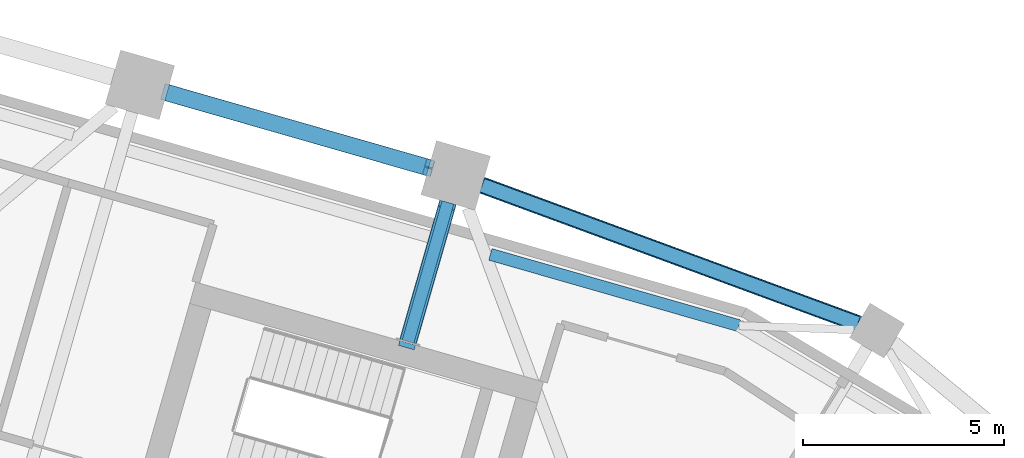
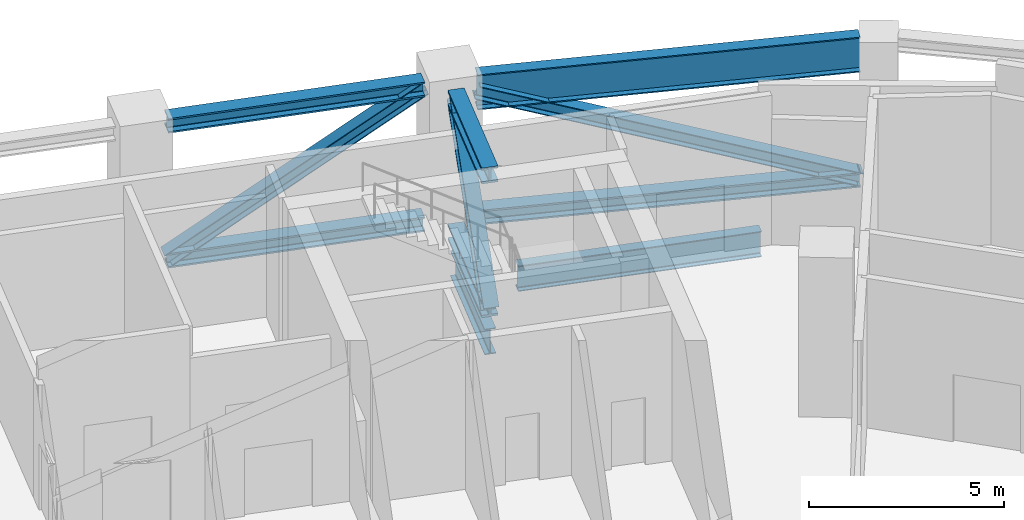
# One storey, part 5 of 16: 8 members, 3 beams.
"""IFC4 building model written with IfcOpenShell, lengths in metres."""

from ifc_helpers import new_model, si_unit, direction, frame, origin, origin_2d, place, context, subcontext, project, spatial, i_section, extrude, material, material_profile, profile_set, type_object, element, save


model = new_model("IFC4")

# Units and contexts
model_context = context("Model", 3, precision=1e-05, world=origin(), true_north=direction((0.0, 1.0)))
body_context = subcontext(model_context, "Body", "Model", "MODEL_VIEW")
ifc_project = project(units=[si_unit("LENGTHUNIT", "METRE"), si_unit("AREAUNIT", "SQUARE_METRE"), si_unit("VOLUMEUNIT", "CUBIC_METRE"), si_unit("PLANEANGLEUNIT", "RADIAN"), si_unit("MASSUNIT", "GRAM", prefix="KILO")], contexts=[model_context])

# Site, building, storey
site_placement = place(None, origin())
site = spatial("IfcSite", under=ifc_project, at=site_placement, CompositionType="ELEMENT")
building_placement = place(site_placement, origin())
building = spatial("IfcBuilding", under=site, at=building_placement, Name="Binnacle Exchange Tower", CompositionType="ELEMENT")
storey_placement = place(building_placement, frame((0.0, 0.0, 149.89990234375)))
storey = spatial("IfcBuildingStorey", under=building, at=storey_placement, Name="L31", CompositionType="ELEMENT", Elevation=149.89990234375)

# Members
ifc_material_1 = material(Name="Steel S460 (SHN460)", Category="steel")
ifc_material_profile_1 = material_profile(ifc_material_1, i_section(OverallWidth=0.4169921875, OverallDepth=0.4580078125, WebThickness=0.030029296875, FlangeThickness=0.050048828125, FilletRadius=0.02197265625, at=origin_2d()), Name="H 458x417x30x50")
ifc_profile_set_1 = profile_set([ifc_material_profile_1], Name="Steel S460 (SHN460)")
member_type_1 = type_object("IfcMemberType", Name="Belt truss chord BT31C H 458x417x30x50 Steel S460 (SHN460)", PredefinedType="CHORD", material=ifc_profile_set_1)
member_1_placement = place(storey_placement, frame((36.60791015625, 59.438232421875, 0.22900390625), z_axis=(-0.938371988478, 0.3456269828, 0.0), x_axis=(-0.3456269828, -0.938371988478, 0.0)))
element("IfcMember", 1, at=member_1_placement, inside=storey, type_object=member_type_1, Name="S:TR:L31:BEL:002", PredefinedType="CHORD", context=body_context, shape_type="SweptSolid", body=[
    extrude(i_section(OverallWidth=0.4169921875, OverallDepth=0.4580078125, WebThickness=0.030029296875, FlangeThickness=0.050048828125, FilletRadius=0.02197265625, at=origin_2d()), origin(), (0.0, 0.0, 1.0), 9.96044921875),
])
for number, where, z_axis, x_axis, name in (
    (2, (25.9296875, 63.31640625, 4.451171875), (-0.961258249907, 0.275649373272, 0.0), (-0.275649373272, -0.961258249907, 0.0), "S:TR:L31:BEL:004"),
    (3, (25.9296875, 63.31640625, 0.22900390625), (-0.961258249907, 0.275649373272, 0.0), (-0.275649373272, -0.961258249907, 0.0), "S:TR:L31:BEL:005"),
):
    element("IfcMember", number, at=place(storey_placement, frame(where, z_axis=z_axis, x_axis=x_axis)), inside=storey, type_object=member_type_1, Name=name, PredefinedType="CHORD", context=body_context, shape_type="SweptSolid", body=[
        extrude(i_section(OverallWidth=0.4169921875, OverallDepth=0.4580078125, WebThickness=0.030029296875, FlangeThickness=0.050048828125, FilletRadius=0.02197265625, at=origin_2d()), origin(), (0.0, 0.0, 1.0), 6.77294921875),
    ])
ifc_material_2 = material(Name="Steel S355 (SHN355)", Category="steel")
ifc_material_profile_2 = material_profile(ifc_material_2, i_section(OverallWidth=0.403076171875, OverallDepth=0.406005859375, WebThickness=0.01611328125, FlangeThickness=0.02392578125, FilletRadius=0.02197265625, at=origin_2d()), Name="H 406x403x16x24")
ifc_profile_set_2 = profile_set([ifc_material_profile_2], Name="Steel S355 (SHN355)")
member_type_2 = type_object("IfcMemberType", Name="Belt truss diagonal BT31D H 406x403x16x24 Steel S355 (SHN355)", PredefinedType="BRACE", material=ifc_profile_set_2)
member_2_placement = place(storey_placement, frame((36.60791015625, 59.438232421875, 0.22900390625), z_axis=(-0.873747153327, 0.32182396325, 0.364685136428), x_axis=(-0.3456269828, -0.938371988478, 0.0)))
element("IfcMember", 4, at=member_2_placement, inside=storey, type_object=member_type_2, Name="S:TR:L31:BEL:003", PredefinedType="BRACE", context=body_context, shape_type="SweptSolid", body=[
    extrude(i_section(OverallWidth=0.403076171875, OverallDepth=0.406005859375, WebThickness=0.01611328125, FlangeThickness=0.02392578125, FilletRadius=0.02197265625, at=origin_2d()), origin(), (0.0, 0.0, 1.0), 10.697265625),
])
member_3_placement = place(storey_placement, frame((25.9296875, 63.31640625, 4.451171875), z_axis=(-0.815734269946, 0.233919074597, -0.529017454698), x_axis=(-0.275649373272, -0.961258249907, 0.0)))
element("IfcMember", 5, at=member_3_placement, inside=storey, type_object=member_type_2, Name="S:TR:L31:BEL:006", PredefinedType="BRACE", context=body_context, shape_type="SweptSolid", body=[
    extrude(i_section(OverallWidth=0.403076171875, OverallDepth=0.406005859375, WebThickness=0.01611328125, FlangeThickness=0.02392578125, FilletRadius=0.02197265625, at=origin_2d()), origin(), (0.0, 0.0, 1.0), 7.981201171875),
])

# Beams
ifc_material_profile_3 = material_profile(ifc_material_2, i_section(OverallWidth=0.300048828125, OverallDepth=0.800048828125, WebThickness=0.013916015625, FlangeThickness=0.02587890625, FilletRadius=0.028076171875, at=origin_2d()), Name="H 800x300x14x26")
ifc_profile_set_3 = profile_set([ifc_material_profile_3], Name="Steel S355 (SHN355)")
beam_type_1 = type_object("IfcBeamType", Name="Edge girder H 800x300x14x26 Steel S355 (SHN355)", PredefinedType="SPANDREL", material=ifc_profile_set_3)
beam_1_placement = place(storey_placement, frame((27.465576171875, 61.159423828125, -0.75), z_axis=(0.961264316474, -0.275628216761, 0.0), x_axis=(0.275628216761, 0.961264316474, 0.0)))
element("IfcBeam", 6, at=beam_1_placement, inside=storey, type_object=beam_type_1, Name="S:BM:edge:L31:039", PredefinedType="SPANDREL", context=body_context, shape_type="SweptSolid", body=[
    extrude(i_section(OverallWidth=0.300048828125, OverallDepth=0.800048828125, WebThickness=0.013916015625, FlangeThickness=0.02587890625, FilletRadius=0.028076171875, at=origin_2d()), origin(), (0.0, 0.0, 1.0), 6.433349609375),
])
ifc_material_profile_4 = material_profile(ifc_material_2, i_section(OverallWidth=0.300048828125, OverallDepth=0.800048828125, WebThickness=0.013916015625, FlangeThickness=0.02587890625, FilletRadius=0.028076171875, at=origin_2d()), Name="H 800x300x14x26")
ifc_profile_set_4 = profile_set([ifc_material_profile_4], Name="Steel S355 (SHN355)")
beam_type_2 = type_object("IfcBeamType", Name="Floor beam H 800x300x14x26 Steel S355 (SHN355)", PredefinedType="BEAM", material=ifc_profile_set_4)
beam_2_placement = place(storey_placement, frame((26.409912109375, 62.45068359375, -0.75), z_axis=(-0.275687825643, -0.961247222515, 0.0), x_axis=(0.961247222515, -0.275687825643, 0.0)))
element("IfcBeam", 7, at=beam_2_placement, inside=storey, type_object=beam_type_2, Name="S:BM:cross:L31:074", PredefinedType="BEAM", context=body_context, shape_type="SweptSolid", body=[
    extrude(i_section(OverallWidth=0.300048828125, OverallDepth=0.800048828125, WebThickness=0.013916015625, FlangeThickness=0.02587890625, FilletRadius=0.028076171875, at=origin_2d()), origin(), (0.0, 0.0, 1.0), 3.63525390625),
])

# Members
ifc_material_profile_5 = material_profile(ifc_material_1, i_section(OverallWidth=0.431884765625, OverallDepth=0.498046875, WebThickness=0.044921875, FlangeThickness=0.070068359375, FilletRadius=0.02197265625, at=origin_2d()), Name="H 498x432x45x70")
ifc_profile_set_5 = profile_set([ifc_material_profile_5], Name="Steel S460 (SHN460)")
member_type_3 = type_object("IfcMemberType", Name="Outrigger truss chord OT31C H 498x432x45x70 Steel S460 (SHN460)", PredefinedType="CHORD", material=ifc_profile_set_5)
for number, where, z_axis, x_axis, name in (
    (8, (26.409912109375, 62.45068359375, 4.43115234375), (-0.275689579094, -0.961246719619, 0.0), (0.961246719619, -0.275689579094, 0.0), "S:TR:L31:OUT:130"),
    (9, (26.409912109375, 62.45068359375, 0.2490234375), (-0.275689579094, -0.961246719619, 0.0), (0.961246719619, -0.275689579094, 0.0), "S:TR:L31:OUT:131"),
):
    element("IfcMember", number, at=place(storey_placement, frame(where, z_axis=z_axis, x_axis=x_axis)), inside=storey, type_object=member_type_3, Name=name, PredefinedType="CHORD", context=body_context, shape_type="SweptSolid", body=[
        extrude(i_section(OverallWidth=0.431884765625, OverallDepth=0.498046875, WebThickness=0.044921875, FlangeThickness=0.070068359375, FilletRadius=0.02197265625, at=origin_2d()), origin(), (0.0, 0.0, 1.0), 3.595458984375),
    ])
ifc_material_profile_6 = material_profile(ifc_material_2, i_section(OverallWidth=0.406982421875, OverallDepth=0.427978515625, WebThickness=0.02001953125, FlangeThickness=0.034912109375, FilletRadius=0.02197265625, at=origin_2d()), Name="H 428x407x20x35")
ifc_profile_set_6 = profile_set([ifc_material_profile_6], Name="Steel S355 (SHN355)")
member_type_4 = type_object("IfcMemberType", Name="Outrigger truss diagonal OT31D H 428x407x20x35 Steel S355 (SHN355)", PredefinedType="BRACE", material=ifc_profile_set_6)
member_4_placement = place(storey_placement, frame((26.409912109375, 62.45068359375, 4.43115234375), z_axis=(-0.179724708295, -0.626646051876, -0.758296614061), x_axis=(0.961246719619, -0.275689579094, 0.0)))
element("IfcMember", 10, at=member_4_placement, inside=storey, type_object=member_type_4, Name="S:TR:L31:OUT:132", PredefinedType="BRACE", context=body_context, shape_type="SweptSolid", body=[
    extrude(i_section(OverallWidth=0.406982421875, OverallDepth=0.427978515625, WebThickness=0.02001953125, FlangeThickness=0.034912109375, FilletRadius=0.02197265625, at=origin_2d()), origin(), (0.0, 0.0, 1.0), 5.51513671875),
])

# Beam
ifc_material_3 = material(Name="Steel S355 (SM355)", Category="steel")
ifc_material_profile_7 = material_profile(ifc_material_3, i_section(OverallWidth=0.35009765625, OverallDepth=1.10009765625, WebThickness=0.02001953125, FlangeThickness=0.035888671875, at=origin_2d()), Name="BH 1100x350x20x36")
ifc_profile_set_7 = profile_set([ifc_material_profile_7], Name="Steel S355 (SM355)")
beam_type_3 = type_object("IfcBeamType", Name="Transfer girder BH 1100x350x20x36 Steel S355 (SM355)", PredefinedType="BEAM", material=ifc_profile_set_7)
beam_3_placement = place(storey_placement, frame((36.60791015625, 59.438232421875, 4.130126953125), z_axis=(-0.938371988478, 0.3456269828, 0.0), x_axis=(-0.3456269828, -0.938371988478, 0.0)))
element("IfcBeam", 11, at=beam_3_placement, inside=storey, type_object=beam_type_3, Name="Transfer girder TG1 L31", PredefinedType="BEAM", context=body_context, shape_type="SweptSolid", body=[
    extrude(i_section(OverallWidth=0.35009765625, OverallDepth=1.10009765625, WebThickness=0.02001953125, FlangeThickness=0.035888671875, at=origin_2d()), origin(), (0.0, 0.0, 1.0), 9.96044921875),
])

save(model, "model.ifc")
